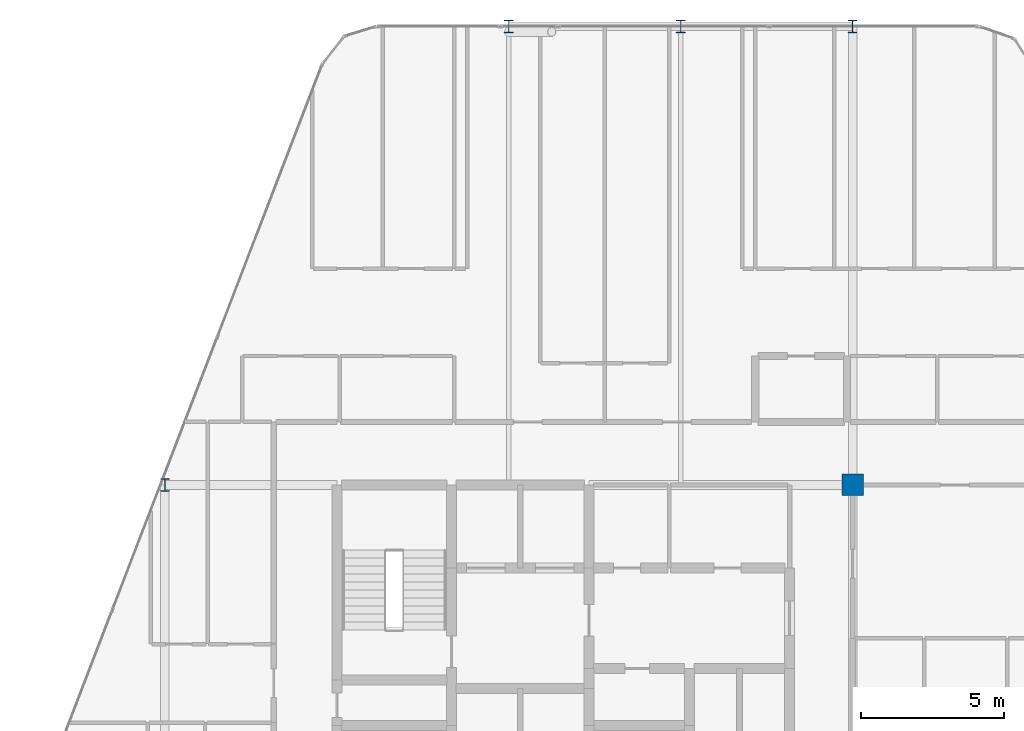
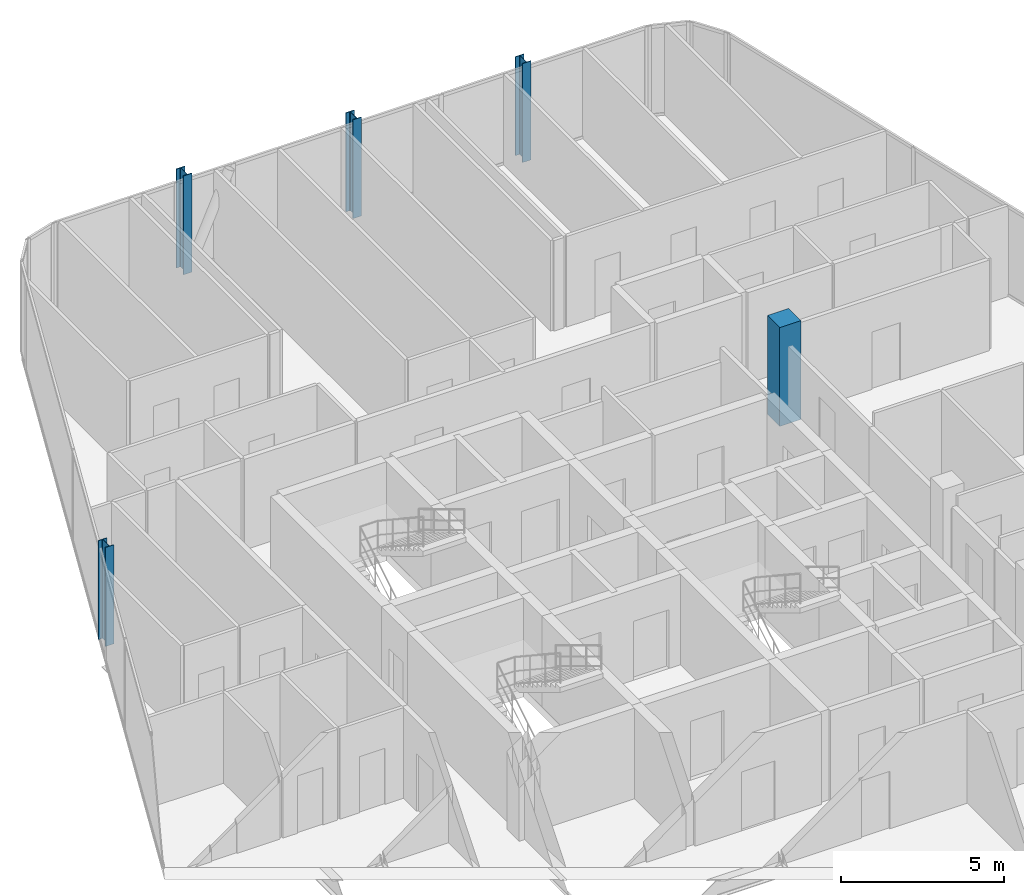
# One storey, part 3 of 29: 5 columns.
"""IFC4 building model written with IfcOpenShell, lengths in metres."""

from ifc_helpers import new_model, si_unit, direction, frame, origin, origin_2d, place, context, subcontext, project, spatial, rectangle, i_section, extrude, material, material_profile, profile_set, type_object, element, save


model = new_model("IFC4")

# Units and contexts
model_context = context("Model", 3, precision=1e-05, world=origin(), true_north=direction((0.0, 1.0)))
body_context = subcontext(model_context, "Body", "Model", "MODEL_VIEW")
ifc_project = project(units=[si_unit("LENGTHUNIT", "METRE"), si_unit("AREAUNIT", "SQUARE_METRE"), si_unit("VOLUMEUNIT", "CUBIC_METRE"), si_unit("PLANEANGLEUNIT", "RADIAN"), si_unit("MASSUNIT", "GRAM", prefix="KILO")], contexts=[model_context])

# Site, building, storey
site_placement = place(None, origin())
site = spatial("IfcSite", under=ifc_project, at=site_placement, CompositionType="ELEMENT")
building_placement = place(site_placement, origin())
building = spatial("IfcBuilding", under=site, at=building_placement, Name="Keshet Zoharim Tower", CompositionType="ELEMENT")
storey_placement = place(building_placement, frame((0.0, 0.0, 206.89990234375)))
storey = spatial("IfcBuildingStorey", under=building, at=storey_placement, Name="L51", CompositionType="ELEMENT", Elevation=206.89990234375)

# Columns
ifc_material_1 = material(Name="Steel S355", Category="steel")
ifc_material_profile_1 = material_profile(ifc_material_1, i_section(OverallWidth=0.300048828125, OverallDepth=0.449951171875, WebThickness=0.013916015625, FlangeThickness=0.02587890625, FilletRadius=0.027099609375, at=origin_2d()), Name="HEB450")
ifc_profile_set_1 = profile_set([ifc_material_profile_1], Name="Steel S355")
column_type_1 = type_object("IfcColumnType", Name="COL-HEB450", PredefinedType="COLUMN", material=ifc_profile_set_1)
for number, where, z_axis, x_axis, name in (
    (1, (9.0, 37.89990234375, 0.0), (0.0, 0.0, 1.0), (1.0, 0.0, 0.0), "L51 Column 2H"),
    (2, (21.0, 53.89990234375, 0.0), (0.0, 0.0, 1.0), (1.0, 0.0, 0.0), "L51 Column 4L"),
    (3, (27.0, 53.89990234375, 0.0), (0.0, 0.0, 1.0), (1.0, 0.0, 0.0), "L51 Column 5L"),
    (4, (33.0, 53.89990234375, 0.0), (0.0, 0.0, 1.0), (1.0, 0.0, 0.0), "L51 Column 6L"),
):
    element("IfcColumn", number, at=place(storey_placement, frame(where, z_axis=z_axis, x_axis=x_axis)), inside=storey, type_object=column_type_1, Name=name, PredefinedType="COLUMN", context=body_context, shape_type="SweptSolid", body=[
        extrude(i_section(OverallWidth=0.300048828125, OverallDepth=0.449951171875, WebThickness=0.013916015625, FlangeThickness=0.02587890625, FilletRadius=0.027099609375, at=origin_2d()), origin(), (0.0, 0.0, 1.0), 3.7001953125),
    ])
ifc_material_2 = material(Name="Concrete C50/60", Category="concrete")
ifc_material_profile_2 = material_profile(ifc_material_2, rectangle(XDim=0.75, YDim=0.75, at=origin_2d()), Name="RC750x750")
ifc_profile_set_2 = profile_set([ifc_material_profile_2], Name="Concrete C50/60")
column_type_2 = type_object("IfcColumnType", Name="COL-RC750", PredefinedType="COLUMN", material=ifc_profile_set_2)
column_placement = place(storey_placement, frame((33.0, 37.89990234375, 0.0), z_axis=(0.0, 0.0, 1.0), x_axis=(1.0, 0.0, 0.0)))
element("IfcColumn", 5, at=column_placement, inside=storey, type_object=column_type_2, Name="L51 Column 6H", PredefinedType="COLUMN", context=body_context, shape_type="SweptSolid", body=[
    extrude(rectangle(XDim=0.75, YDim=0.75, at=origin_2d()), origin(), (0.0, 0.0, 1.0), 3.7001953125),
])

save(model, "model.ifc")
